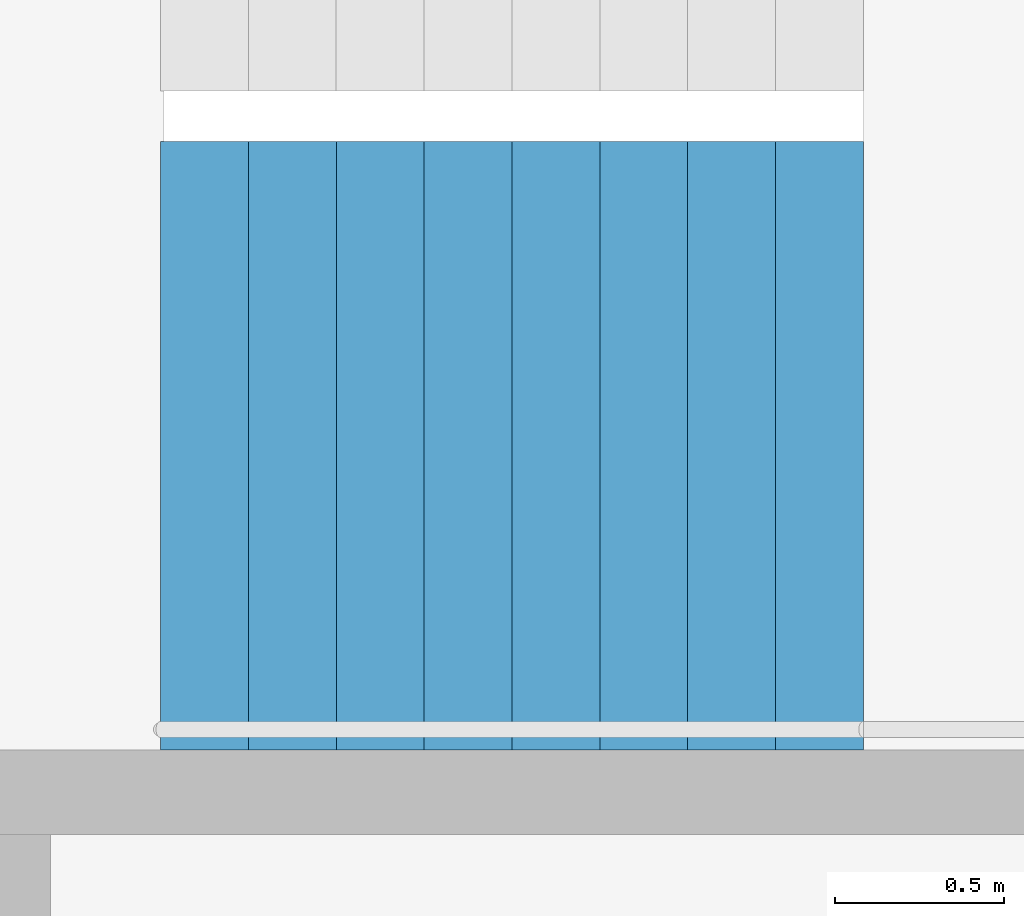
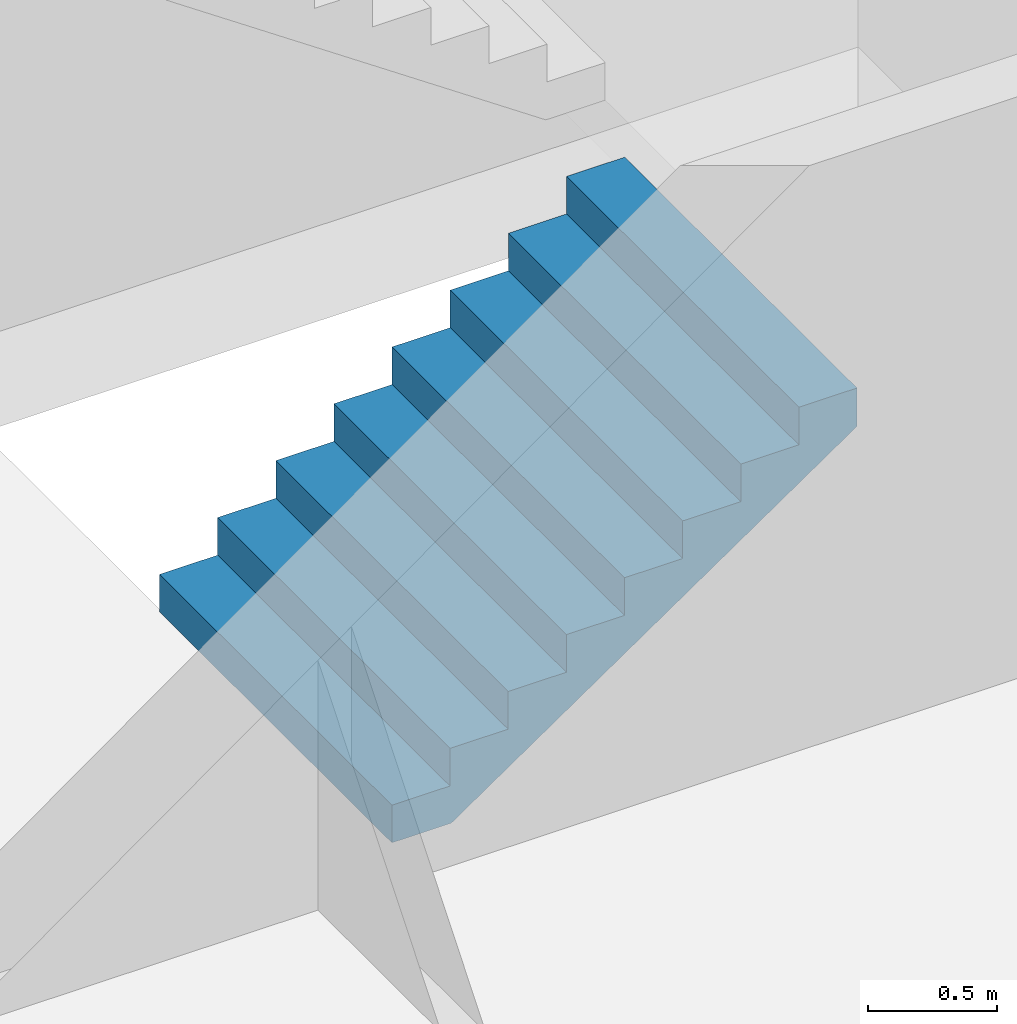
# One storey, part 21 of 27: 1 stair flight, 1 element without a shape of its own.
"""IFC4 building model written with IfcOpenShell, lengths in metres."""

from ifc_helpers import new_model, si_unit, direction, frame, origin, place, context, subcontext, project, spatial, triangles, material, type_object, element, aggregate, save


model = new_model("IFC4")

# Units and contexts
model_context = context("Model", 3, precision=1e-05, world=origin(), true_north=direction((0.0, 1.0)))
body_context = subcontext(model_context, "Body", "Model", "MODEL_VIEW")
ifc_project = project(units=[si_unit("LENGTHUNIT", "METRE"), si_unit("AREAUNIT", "SQUARE_METRE"), si_unit("VOLUMEUNIT", "CUBIC_METRE"), si_unit("PLANEANGLEUNIT", "RADIAN"), si_unit("MASSUNIT", "GRAM", prefix="KILO")], contexts=[model_context])

# Site, building, storey
site_placement = place(None, origin())
site = spatial("IfcSite", under=ifc_project, at=site_placement, CompositionType="ELEMENT")
building_placement = place(site_placement, origin())
building = spatial("IfcBuilding", under=site, at=building_placement, Name="Hakoniwa Tower and Hamabe Station Hall", CompositionType="ELEMENT")
storey_placement = place(building_placement, frame((0.0, 0.0, 255.0)))
storey = spatial("IfcBuildingStorey", under=building, at=storey_placement, Name="L72", CompositionType="ELEMENT", Elevation=255.0)

# Stair, stair flight
ifc_material_1 = material(Name="Concrete C40", Category="concrete")
stair_type = type_object("IfcStairType", Name="ESCAPE STAIR 1800", PredefinedType="HALF_TURN_STAIR", material=ifc_material_1)
stair_placement = place(storey_placement, origin())
stair = element("IfcStair", 1, at=stair_placement, inside=storey, type_object=stair_type, Name="Escape stair ST-1 L72", PredefinedType="HALF_TURN_STAIR")
ifc_material_2 = material(Name="Concrete C40", Category="concrete")
stair_flight_type = type_object("IfcStairFlightType", Name="STAIR FLIGHT 1800", PredefinedType="STRAIGHT", material=ifc_material_2)
stair_flight_placement = place(storey_placement, frame((-24.39990234375, 4.64990234375, 0.0), z_axis=(0.0, 0.0, 1.0), x_axis=(1.0, 0.0, 0.0)))
stair_flight = element("IfcStairFlight", 2, at=stair_flight_placement, type_object=stair_flight_type, Name="ST-1 flight 1", NumberOfRisers=9, NumberOfTreads=8, PredefinedType="STRAIGHT", RiserHeight=0.177777778, TreadLength=0.26, context=body_context, shape_type="Tessellation", body=[
    triangles([(0.0, 0.89990234375, 0.0), (0.260009765625, 0.89990234375, 0.0), (0.265625, 0.89990234375, 0.0), (0.52001953125, 0.89990234375, 0.174072265625), (0.780029296875, 0.89990234375, 0.351806640625), (1.0400390625, 0.89990234375, 0.529541015625), (1.300048828125, 0.89990234375, 0.707275390625), (1.56005859375, 0.89990234375, 0.885009765625), (1.820068359375, 0.89990234375, 1.062744140625), (2.080078125, 0.89990234375, 1.24072265625), (2.080078125, 0.89990234375, 1.422119140625), (1.820068359375, 0.89990234375, 1.422119140625), (1.820068359375, 0.89990234375, 1.244384765625), (1.56005859375, 0.89990234375, 1.244384765625), (1.56005859375, 0.89990234375, 1.066650390625), (1.300048828125, 0.89990234375, 1.066650390625), (1.300048828125, 0.89990234375, 0.888916015625), (1.0400390625, 0.89990234375, 0.888916015625), (1.0400390625, 0.89990234375, 0.711181640625), (0.780029296875, 0.89990234375, 0.711181640625), (0.780029296875, 0.89990234375, 0.533447265625), (0.52001953125, 0.89990234375, 0.533447265625), (0.52001953125, 0.89990234375, 0.35546875), (0.265625, 0.89990234375, 0.35546875), (0.260009765625, 0.89990234375, 0.35546875), (0.260009765625, 0.89990234375, 0.177734375), (0.0, 0.89990234375, 0.177734375), (0.0, 0.06005859375, 0.0), (0.260009765625, 0.06005859375, 0.0), (0.265625, 0.06005859375, 0.0), (0.52001953125, 0.06005859375, 0.174072265625), (0.780029296875, 0.06005859375, 0.351806640625), (1.0400390625, 0.06005859375, 0.529541015625), (1.300048828125, 0.06005859375, 0.707275390625), (1.56005859375, 0.06005859375, 0.885009765625), (1.820068359375, 0.06005859375, 1.062744140625), (2.080078125, 0.06005859375, 1.24072265625), (2.080078125, 0.06005859375, 1.422119140625), (1.820068359375, 0.06005859375, 1.422119140625), (1.820068359375, 0.06005859375, 1.244384765625), (1.56005859375, 0.06005859375, 1.244384765625), (1.56005859375, 0.06005859375, 1.066650390625), (1.300048828125, 0.06005859375, 1.066650390625), (1.300048828125, 0.06005859375, 0.888916015625), (1.0400390625, 0.06005859375, 0.888916015625), (1.0400390625, 0.06005859375, 0.711181640625), (0.780029296875, 0.06005859375, 0.711181640625), (0.780029296875, 0.06005859375, 0.533447265625), (0.52001953125, 0.06005859375, 0.533447265625), (0.52001953125, 0.06005859375, 0.35546875), (0.265625, 0.06005859375, 0.35546875), (0.260009765625, 0.06005859375, 0.35546875), (0.260009765625, 0.06005859375, 0.177734375), (0.0, 0.06005859375, 0.177734375), (0.0, 0.04296875, 0.0), (0.260009765625, 0.04296875, 0.0), (0.265625, 0.04296875, 0.0), (0.52001953125, 0.04296875, 0.174072265625), (0.780029296875, 0.04296875, 0.351806640625), (1.0400390625, 0.04296875, 0.529541015625), (1.300048828125, 0.04296875, 0.707275390625), (1.56005859375, 0.04296875, 0.885009765625), (1.820068359375, 0.04296875, 1.062744140625), (2.080078125, 0.04296875, 1.24072265625), (2.080078125, 0.04296875, 1.422119140625), (1.820068359375, 0.04296875, 1.422119140625), (1.820068359375, 0.04296875, 1.244384765625), (1.56005859375, 0.04296875, 1.244384765625), (1.56005859375, 0.04296875, 1.066650390625), (1.300048828125, 0.04296875, 1.066650390625), (1.300048828125, 0.04296875, 0.888916015625), (1.0400390625, 0.04296875, 0.888916015625), (1.0400390625, 0.04296875, 0.711181640625), (0.780029296875, 0.04296875, 0.711181640625), (0.780029296875, 0.04296875, 0.533447265625), (0.52001953125, 0.04296875, 0.533447265625), (0.52001953125, 0.04296875, 0.35546875), (0.265625, 0.04296875, 0.35546875), (0.260009765625, 0.04296875, 0.35546875), (0.260009765625, 0.04296875, 0.177734375), (0.0, 0.04296875, 0.177734375), (0.0, 0.025634765625, 0.0), (0.260009765625, 0.025634765625, 0.0), (0.265625, 0.025634765625, 0.0), (0.52001953125, 0.025634765625, 0.174072265625), (0.780029296875, 0.025634765625, 0.351806640625), (1.0400390625, 0.025634765625, 0.529541015625), (1.300048828125, 0.025634765625, 0.707275390625), (1.56005859375, 0.025634765625, 0.885009765625), (1.820068359375, 0.025634765625, 1.062744140625), (2.080078125, 0.025634765625, 1.24072265625), (2.080078125, 0.025634765625, 1.422119140625), (1.820068359375, 0.025634765625, 1.422119140625), (1.820068359375, 0.025634765625, 1.244384765625), (1.56005859375, 0.025634765625, 1.244384765625), (1.56005859375, 0.025634765625, 1.066650390625), (1.300048828125, 0.025634765625, 1.066650390625), (1.300048828125, 0.025634765625, 0.888916015625), (1.0400390625, 0.025634765625, 0.888916015625), (1.0400390625, 0.025634765625, 0.711181640625), (0.780029296875, 0.025634765625, 0.711181640625), (0.780029296875, 0.025634765625, 0.533447265625), (0.52001953125, 0.025634765625, 0.533447265625), (0.52001953125, 0.025634765625, 0.35546875), (0.265625, 0.025634765625, 0.35546875), (0.260009765625, 0.025634765625, 0.35546875), (0.260009765625, 0.025634765625, 0.177734375), (0.0, 0.025634765625, 0.177734375), (0.0, 0.008544921875, 0.0), (0.260009765625, 0.008544921875, 0.0), (0.265625, 0.008544921875, 0.0), (0.52001953125, 0.008544921875, 0.174072265625), (0.780029296875, 0.008544921875, 0.351806640625), (1.0400390625, 0.008544921875, 0.529541015625), (1.300048828125, 0.008544921875, 0.707275390625), (1.56005859375, 0.008544921875, 0.885009765625), (1.820068359375, 0.008544921875, 1.062744140625), (2.080078125, 0.008544921875, 1.24072265625), (2.080078125, 0.008544921875, 1.422119140625), (1.820068359375, 0.008544921875, 1.422119140625), (1.820068359375, 0.008544921875, 1.244384765625), (1.56005859375, 0.008544921875, 1.244384765625), (1.56005859375, 0.008544921875, 1.066650390625), (1.300048828125, 0.008544921875, 1.066650390625), (1.300048828125, 0.008544921875, 0.888916015625), (1.0400390625, 0.008544921875, 0.888916015625), (1.0400390625, 0.008544921875, 0.711181640625), (0.780029296875, 0.008544921875, 0.711181640625), (0.780029296875, 0.008544921875, 0.533447265625), (0.52001953125, 0.008544921875, 0.533447265625), (0.52001953125, 0.008544921875, 0.35546875), (0.265625, 0.008544921875, 0.35546875), (0.260009765625, 0.008544921875, 0.35546875), (0.260009765625, 0.008544921875, 0.177734375), (0.0, 0.008544921875, 0.177734375), (0.0, -0.008544921875, 0.0), (0.260009765625, -0.008544921875, 0.0), (0.265625, -0.008544921875, 0.0), (0.52001953125, -0.008544921875, 0.174072265625), (0.780029296875, -0.008544921875, 0.351806640625), (1.0400390625, -0.008544921875, 0.529541015625), (1.300048828125, -0.008544921875, 0.707275390625), (1.56005859375, -0.008544921875, 0.885009765625), (1.820068359375, -0.008544921875, 1.062744140625), (2.080078125, -0.008544921875, 1.24072265625), (2.080078125, -0.008544921875, 1.422119140625), (1.820068359375, -0.008544921875, 1.422119140625), (1.820068359375, -0.008544921875, 1.244384765625), (1.56005859375, -0.008544921875, 1.244384765625), (1.56005859375, -0.008544921875, 1.066650390625), (1.300048828125, -0.008544921875, 1.066650390625), (1.300048828125, -0.008544921875, 0.888916015625), (1.0400390625, -0.008544921875, 0.888916015625), (1.0400390625, -0.008544921875, 0.711181640625), (0.780029296875, -0.008544921875, 0.711181640625), (0.780029296875, -0.008544921875, 0.533447265625), (0.52001953125, -0.008544921875, 0.533447265625), (0.52001953125, -0.008544921875, 0.35546875), (0.265625, -0.008544921875, 0.35546875), (0.260009765625, -0.008544921875, 0.35546875), (0.260009765625, -0.008544921875, 0.177734375), (0.0, -0.008544921875, 0.177734375), (0.0, -0.025634765625, 0.0), (0.260009765625, -0.025634765625, 0.0), (0.265625, -0.025634765625, 0.0), (0.52001953125, -0.025634765625, 0.174072265625), (0.780029296875, -0.025634765625, 0.351806640625), (1.0400390625, -0.025634765625, 0.529541015625), (1.300048828125, -0.025634765625, 0.707275390625), (1.56005859375, -0.025634765625, 0.885009765625), (1.820068359375, -0.025634765625, 1.062744140625), (2.080078125, -0.025634765625, 1.24072265625), (2.080078125, -0.025634765625, 1.422119140625), (1.820068359375, -0.025634765625, 1.422119140625), (1.820068359375, -0.025634765625, 1.244384765625), (1.56005859375, -0.025634765625, 1.244384765625), (1.56005859375, -0.025634765625, 1.066650390625), (1.300048828125, -0.025634765625, 1.066650390625), (1.300048828125, -0.025634765625, 0.888916015625), (1.0400390625, -0.025634765625, 0.888916015625), (1.0400390625, -0.025634765625, 0.711181640625), (0.780029296875, -0.025634765625, 0.711181640625), (0.780029296875, -0.025634765625, 0.533447265625), (0.52001953125, -0.025634765625, 0.533447265625), (0.52001953125, -0.025634765625, 0.35546875), (0.265625, -0.025634765625, 0.35546875), (0.260009765625, -0.025634765625, 0.35546875), (0.260009765625, -0.025634765625, 0.177734375), (0.0, -0.025634765625, 0.177734375), (0.0, -0.04296875, 0.0), (0.260009765625, -0.04296875, 0.0), (0.265625, -0.04296875, 0.0), (0.52001953125, -0.04296875, 0.174072265625), (0.780029296875, -0.04296875, 0.351806640625), (1.0400390625, -0.04296875, 0.529541015625), (1.300048828125, -0.04296875, 0.707275390625), (1.56005859375, -0.04296875, 0.885009765625), (1.820068359375, -0.04296875, 1.062744140625), (2.080078125, -0.04296875, 1.24072265625), (2.080078125, -0.04296875, 1.422119140625), (1.820068359375, -0.04296875, 1.422119140625), (1.820068359375, -0.04296875, 1.244384765625), (1.56005859375, -0.04296875, 1.244384765625), (1.56005859375, -0.04296875, 1.066650390625), (1.300048828125, -0.04296875, 1.066650390625), (1.300048828125, -0.04296875, 0.888916015625), (1.0400390625, -0.04296875, 0.888916015625), (1.0400390625, -0.04296875, 0.711181640625), (0.780029296875, -0.04296875, 0.711181640625), (0.780029296875, -0.04296875, 0.533447265625), (0.52001953125, -0.04296875, 0.533447265625), (0.52001953125, -0.04296875, 0.35546875), (0.265625, -0.04296875, 0.35546875), (0.260009765625, -0.04296875, 0.35546875), (0.260009765625, -0.04296875, 0.177734375), (0.0, -0.04296875, 0.177734375), (0.0, -0.06005859375, 0.0), (0.260009765625, -0.06005859375, 0.0), (0.265625, -0.06005859375, 0.0), (0.52001953125, -0.06005859375, 0.174072265625), (0.780029296875, -0.06005859375, 0.351806640625), (1.0400390625, -0.06005859375, 0.529541015625), (1.300048828125, -0.06005859375, 0.707275390625), (1.56005859375, -0.06005859375, 0.885009765625), (1.820068359375, -0.06005859375, 1.062744140625), (2.080078125, -0.06005859375, 1.24072265625), (2.080078125, -0.06005859375, 1.422119140625), (1.820068359375, -0.06005859375, 1.422119140625), (1.820068359375, -0.06005859375, 1.244384765625), (1.56005859375, -0.06005859375, 1.244384765625), (1.56005859375, -0.06005859375, 1.066650390625), (1.300048828125, -0.06005859375, 1.066650390625), (1.300048828125, -0.06005859375, 0.888916015625), (1.0400390625, -0.06005859375, 0.888916015625), (1.0400390625, -0.06005859375, 0.711181640625), (0.780029296875, -0.06005859375, 0.711181640625), (0.780029296875, -0.06005859375, 0.533447265625), (0.52001953125, -0.06005859375, 0.533447265625), (0.52001953125, -0.06005859375, 0.35546875), (0.265625, -0.06005859375, 0.35546875), (0.260009765625, -0.06005859375, 0.35546875), (0.260009765625, -0.06005859375, 0.177734375), (0.0, -0.06005859375, 0.177734375), (0.0, -0.89990234375, 0.0), (0.260009765625, -0.89990234375, 0.0), (0.265625, -0.89990234375, 0.0), (0.52001953125, -0.89990234375, 0.174072265625), (0.780029296875, -0.89990234375, 0.351806640625), (1.0400390625, -0.89990234375, 0.529541015625), (1.300048828125, -0.89990234375, 0.707275390625), (1.56005859375, -0.89990234375, 0.885009765625), (1.820068359375, -0.89990234375, 1.062744140625), (2.080078125, -0.89990234375, 1.24072265625), (2.080078125, -0.89990234375, 1.422119140625), (1.820068359375, -0.89990234375, 1.422119140625), (1.820068359375, -0.89990234375, 1.244384765625), (1.56005859375, -0.89990234375, 1.244384765625), (1.56005859375, -0.89990234375, 1.066650390625), (1.300048828125, -0.89990234375, 1.066650390625), (1.300048828125, -0.89990234375, 0.888916015625), (1.0400390625, -0.89990234375, 0.888916015625), (1.0400390625, -0.89990234375, 0.711181640625), (0.780029296875, -0.89990234375, 0.711181640625), (0.780029296875, -0.89990234375, 0.533447265625), (0.52001953125, -0.89990234375, 0.533447265625), (0.52001953125, -0.89990234375, 0.35546875), (0.265625, -0.89990234375, 0.35546875), (0.260009765625, -0.89990234375, 0.35546875), (0.260009765625, -0.89990234375, 0.177734375), (0.0, -0.89990234375, 0.177734375)], [[2, 27, 26], [245, 269, 270], [2, 1, 27], [245, 270, 244], [3, 25, 24], [246, 267, 268], [3, 26, 25], [246, 268, 269], [3, 2, 26], [246, 269, 245], [4, 24, 23], [247, 266, 267], [4, 3, 24], [247, 267, 246], [5, 22, 21], [248, 264, 265], [5, 23, 22], [248, 265, 266], [5, 4, 23], [248, 266, 247], [6, 20, 19], [249, 262, 263], [6, 21, 20], [249, 263, 264], [6, 5, 21], [249, 264, 248], [7, 18, 17], [250, 260, 261], [7, 19, 18], [250, 261, 262], [7, 6, 19], [250, 262, 249], [8, 16, 15], [251, 258, 259], [8, 17, 16], [251, 259, 260], [8, 7, 17], [251, 260, 250], [9, 14, 13], [252, 256, 257], [9, 15, 14], [252, 257, 258], [9, 8, 15], [252, 258, 251], [10, 12, 11], [253, 254, 255], [10, 13, 12], [253, 255, 256], [10, 9, 13], [253, 256, 252], [1, 2, 29], [1, 29, 28], [28, 29, 56], [28, 56, 55], [55, 56, 83], [55, 83, 82], [82, 83, 110], [82, 110, 109], [109, 110, 137], [109, 137, 136], [136, 137, 164], [136, 164, 163], [163, 164, 191], [163, 191, 190], [190, 191, 218], [190, 218, 217], [217, 218, 245], [217, 245, 244], [2, 3, 30], [2, 30, 29], [29, 30, 57], [29, 57, 56], [56, 57, 84], [56, 84, 83], [83, 84, 111], [83, 111, 110], [110, 111, 138], [110, 138, 137], [137, 138, 165], [137, 165, 164], [164, 165, 192], [164, 192, 191], [191, 192, 219], [191, 219, 218], [218, 219, 246], [218, 246, 245], [3, 4, 31], [3, 31, 30], [30, 31, 58], [30, 58, 57], [57, 58, 85], [57, 85, 84], [84, 85, 112], [84, 112, 111], [111, 112, 139], [111, 139, 138], [138, 139, 166], [138, 166, 165], [165, 166, 193], [165, 193, 192], [192, 193, 220], [192, 220, 219], [219, 220, 247], [219, 247, 246], [4, 5, 32], [4, 32, 31], [31, 32, 59], [31, 59, 58], [58, 59, 86], [58, 86, 85], [85, 86, 113], [85, 113, 112], [112, 113, 140], [112, 140, 139], [139, 140, 167], [139, 167, 166], [166, 167, 194], [166, 194, 193], [193, 194, 221], [193, 221, 220], [220, 221, 248], [220, 248, 247], [5, 6, 33], [5, 33, 32], [32, 33, 60], [32, 60, 59], [59, 60, 87], [59, 87, 86], [86, 87, 114], [86, 114, 113], [113, 114, 141], [113, 141, 140], [140, 141, 168], [140, 168, 167], [167, 168, 195], [167, 195, 194], [194, 195, 222], [194, 222, 221], [221, 222, 249], [221, 249, 248], [6, 7, 34], [6, 34, 33], [33, 34, 61], [33, 61, 60], [60, 61, 88], [60, 88, 87], [87, 88, 115], [87, 115, 114], [114, 115, 142], [114, 142, 141], [141, 142, 169], [141, 169, 168], [168, 169, 196], [168, 196, 195], [195, 196, 223], [195, 223, 222], [222, 223, 250], [222, 250, 249], [7, 8, 35], [7, 35, 34], [34, 35, 62], [34, 62, 61], [61, 62, 89], [61, 89, 88], [88, 89, 116], [88, 116, 115], [115, 116, 143], [115, 143, 142], [142, 143, 170], [142, 170, 169], [169, 170, 197], [169, 197, 196], [196, 197, 224], [196, 224, 223], [223, 224, 251], [223, 251, 250], [8, 9, 36], [8, 36, 35], [35, 36, 63], [35, 63, 62], [62, 63, 90], [62, 90, 89], [89, 90, 117], [89, 117, 116], [116, 117, 144], [116, 144, 143], [143, 144, 171], [143, 171, 170], [170, 171, 198], [170, 198, 197], [197, 198, 225], [197, 225, 224], [224, 225, 252], [224, 252, 251], [9, 10, 37], [9, 37, 36], [36, 37, 64], [36, 64, 63], [63, 64, 91], [63, 91, 90], [90, 91, 118], [90, 118, 117], [117, 118, 145], [117, 145, 144], [144, 145, 172], [144, 172, 171], [171, 172, 199], [171, 199, 198], [198, 199, 226], [198, 226, 225], [225, 226, 253], [225, 253, 252], [10, 11, 38], [10, 38, 37], [37, 38, 65], [37, 65, 64], [64, 65, 92], [64, 92, 91], [91, 92, 119], [91, 119, 118], [118, 119, 146], [118, 146, 145], [145, 146, 173], [145, 173, 172], [172, 173, 200], [172, 200, 199], [199, 200, 227], [199, 227, 226], [226, 227, 254], [226, 254, 253], [11, 12, 39], [11, 39, 38], [38, 39, 66], [38, 66, 65], [65, 66, 93], [65, 93, 92], [92, 93, 120], [92, 120, 119], [119, 120, 147], [119, 147, 146], [146, 147, 174], [146, 174, 173], [173, 174, 201], [173, 201, 200], [200, 201, 228], [200, 228, 227], [227, 228, 255], [227, 255, 254], [12, 13, 40], [12, 40, 39], [39, 40, 67], [39, 67, 66], [66, 67, 94], [66, 94, 93], [93, 94, 121], [93, 121, 120], [120, 121, 148], [120, 148, 147], [147, 148, 175], [147, 175, 174], [174, 175, 202], [174, 202, 201], [201, 202, 229], [201, 229, 228], [228, 229, 256], [228, 256, 255], [13, 14, 41], [13, 41, 40], [40, 41, 68], [40, 68, 67], [67, 68, 95], [67, 95, 94], [94, 95, 122], [94, 122, 121], [121, 122, 149], [121, 149, 148], [148, 149, 176], [148, 176, 175], [175, 176, 203], [175, 203, 202], [202, 203, 230], [202, 230, 229], [229, 230, 257], [229, 257, 256], [14, 15, 42], [14, 42, 41], [41, 42, 69], [41, 69, 68], [68, 69, 96], [68, 96, 95], [95, 96, 123], [95, 123, 122], [122, 123, 150], [122, 150, 149], [149, 150, 177], [149, 177, 176], [176, 177, 204], [176, 204, 203], [203, 204, 231], [203, 231, 230], [230, 231, 258], [230, 258, 257], [15, 16, 43], [15, 43, 42], [42, 43, 70], [42, 70, 69], [69, 70, 97], [69, 97, 96], [96, 97, 124], [96, 124, 123], [123, 124, 151], [123, 151, 150], [150, 151, 178], [150, 178, 177], [177, 178, 205], [177, 205, 204], [204, 205, 232], [204, 232, 231], [231, 232, 259], [231, 259, 258], [16, 17, 44], [16, 44, 43], [43, 44, 71], [43, 71, 70], [70, 71, 98], [70, 98, 97], [97, 98, 125], [97, 125, 124], [124, 125, 152], [124, 152, 151], [151, 152, 179], [151, 179, 178], [178, 179, 206], [178, 206, 205], [205, 206, 233], [205, 233, 232], [232, 233, 260], [232, 260, 259], [17, 18, 45], [17, 45, 44], [44, 45, 72], [44, 72, 71], [71, 72, 99], [71, 99, 98], [98, 99, 126], [98, 126, 125], [125, 126, 153], [125, 153, 152], [152, 153, 180], [152, 180, 179], [179, 180, 207], [179, 207, 206], [206, 207, 234], [206, 234, 233], [233, 234, 261], [233, 261, 260], [18, 19, 46], [18, 46, 45], [45, 46, 73], [45, 73, 72], [72, 73, 100], [72, 100, 99], [99, 100, 127], [99, 127, 126], [126, 127, 154], [126, 154, 153], [153, 154, 181], [153, 181, 180], [180, 181, 208], [180, 208, 207], [207, 208, 235], [207, 235, 234], [234, 235, 262], [234, 262, 261], [19, 20, 47], [19, 47, 46], [46, 47, 74], [46, 74, 73], [73, 74, 101], [73, 101, 100], [100, 101, 128], [100, 128, 127], [127, 128, 155], [127, 155, 154], [154, 155, 182], [154, 182, 181], [181, 182, 209], [181, 209, 208], [208, 209, 236], [208, 236, 235], [235, 236, 263], [235, 263, 262], [20, 21, 48], [20, 48, 47], [47, 48, 75], [47, 75, 74], [74, 75, 102], [74, 102, 101], [101, 102, 129], [101, 129, 128], [128, 129, 156], [128, 156, 155], [155, 156, 183], [155, 183, 182], [182, 183, 210], [182, 210, 209], [209, 210, 237], [209, 237, 236], [236, 237, 264], [236, 264, 263], [21, 22, 49], [21, 49, 48], [48, 49, 76], [48, 76, 75], [75, 76, 103], [75, 103, 102], [102, 103, 130], [102, 130, 129], [129, 130, 157], [129, 157, 156], [156, 157, 184], [156, 184, 183], [183, 184, 211], [183, 211, 210], [210, 211, 238], [210, 238, 237], [237, 238, 265], [237, 265, 264], [22, 23, 50], [22, 50, 49], [49, 50, 77], [49, 77, 76], [76, 77, 104], [76, 104, 103], [103, 104, 131], [103, 131, 130], [130, 131, 158], [130, 158, 157], [157, 158, 185], [157, 185, 184], [184, 185, 212], [184, 212, 211], [211, 212, 239], [211, 239, 238], [238, 239, 266], [238, 266, 265], [23, 24, 51], [23, 51, 50], [50, 51, 78], [50, 78, 77], [77, 78, 105], [77, 105, 104], [104, 105, 132], [104, 132, 131], [131, 132, 159], [131, 159, 158], [158, 159, 186], [158, 186, 185], [185, 186, 213], [185, 213, 212], [212, 213, 240], [212, 240, 239], [239, 240, 267], [239, 267, 266], [24, 25, 52], [24, 52, 51], [51, 52, 79], [51, 79, 78], [78, 79, 106], [78, 106, 105], [105, 106, 133], [105, 133, 132], [132, 133, 160], [132, 160, 159], [159, 160, 187], [159, 187, 186], [186, 187, 214], [186, 214, 213], [213, 214, 241], [213, 241, 240], [240, 241, 268], [240, 268, 267], [25, 26, 53], [25, 53, 52], [52, 53, 80], [52, 80, 79], [79, 80, 107], [79, 107, 106], [106, 107, 134], [106, 134, 133], [133, 134, 161], [133, 161, 160], [160, 161, 188], [160, 188, 187], [187, 188, 215], [187, 215, 214], [214, 215, 242], [214, 242, 241], [241, 242, 269], [241, 269, 268], [26, 27, 54], [26, 54, 53], [53, 54, 81], [53, 81, 80], [80, 81, 108], [80, 108, 107], [107, 108, 135], [107, 135, 134], [134, 135, 162], [134, 162, 161], [161, 162, 189], [161, 189, 188], [188, 189, 216], [188, 216, 215], [215, 216, 243], [215, 243, 242], [242, 243, 270], [242, 270, 269], [27, 1, 28], [27, 28, 54], [54, 28, 55], [54, 55, 81], [81, 55, 82], [81, 82, 108], [108, 82, 109], [108, 109, 135], [135, 109, 136], [135, 136, 162], [162, 136, 163], [162, 163, 189], [189, 163, 190], [189, 190, 216], [216, 190, 217], [216, 217, 243], [243, 217, 244], [243, 244, 270]], closed=True),
])
aggregate(stair, [stair_flight])

save(model, "model.ifc")
